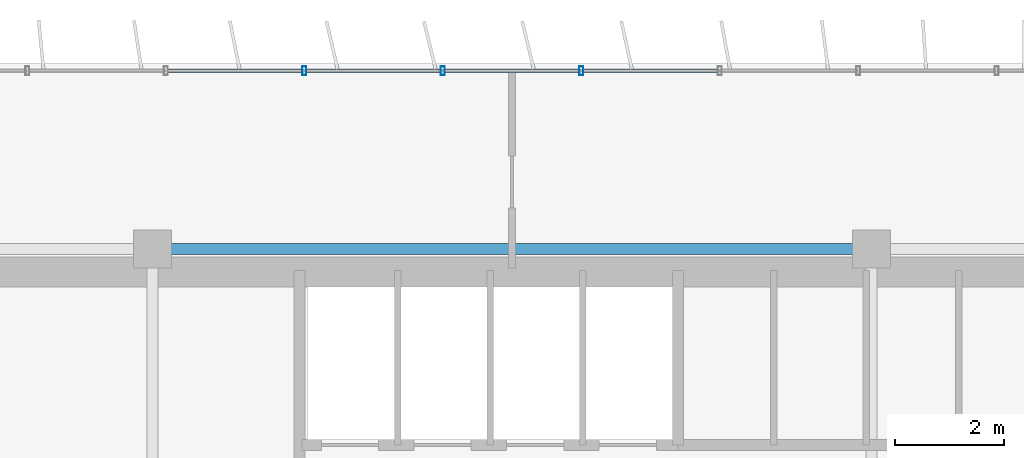
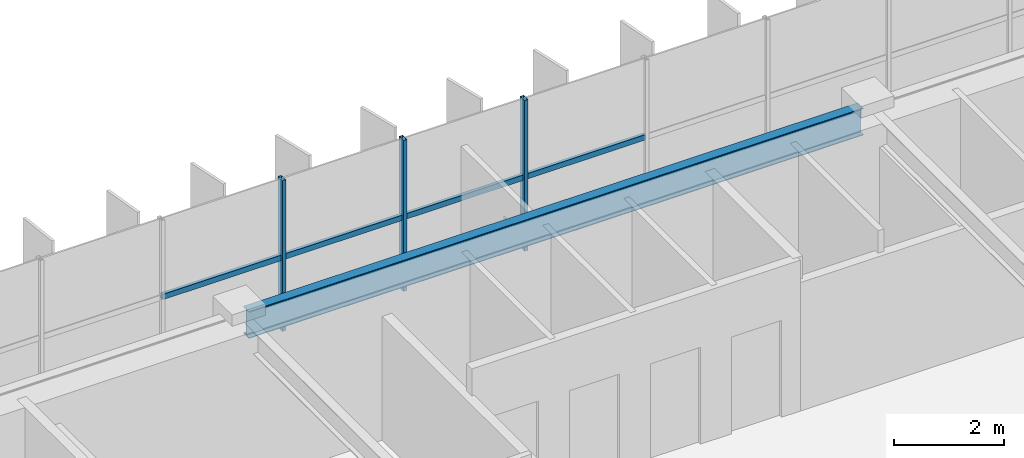
# One storey, part 7 of 21: 7 members, 1 beam, 1 element without a shape of its own.
"""IFC4 building model written with IfcOpenShell, lengths in metres."""

from ifc_helpers import new_model, si_unit, direction, frame, origin, origin_2d, place, context, subcontext, project, spatial, hollow_rectangle, i_section, extrude, source, transform, mapped, material, material_profile, profile_set, type_object, element, aggregate, save


model = new_model("IFC4")

# Units and contexts
model_context = context("Model", 3, precision=1e-05, world=origin(), true_north=direction((0.0, 1.0)))
body_context = subcontext(model_context, "Body", "Model", "MODEL_VIEW")
ifc_project = project(units=[si_unit("LENGTHUNIT", "METRE"), si_unit("AREAUNIT", "SQUARE_METRE"), si_unit("VOLUMEUNIT", "CUBIC_METRE"), si_unit("PLANEANGLEUNIT", "RADIAN"), si_unit("MASSUNIT", "GRAM", prefix="KILO")], contexts=[model_context])

# Site, building, storey
site_placement = place(None, origin())
site = spatial("IfcSite", under=ifc_project, at=site_placement, CompositionType="ELEMENT")
building_placement = place(site_placement, origin())
building = spatial("IfcBuilding", under=site, at=building_placement, Name="Trelvane Seafront Commons", CompositionType="ELEMENT")
storey_placement = place(building_placement, frame((0.0, 0.0, 157.300048828125)))
storey = spatial("IfcBuildingStorey", under=building, at=storey_placement, Name="L41", CompositionType="ELEMENT", Elevation=157.300048828125)

# Beam
ifc_material_1 = material(Name="Steel SM355 (S355)", Category="steel")
ifc_material_profile_1 = material_profile(ifc_material_1, i_section(OverallWidth=0.199951171875, OverallDepth=0.60009765625, WebThickness=0.010986328125, FlangeThickness=0.01708984375, at=origin_2d()), Name="H-600x200x11x17")
ifc_profile_set_1 = profile_set([ifc_material_profile_1], Name="Steel SM355 (S355)")
beam_type = type_object("IfcBeamType", Name="STR-SPD-H600", PredefinedType="SPANDREL", material=ifc_profile_set_1)
shared_shape_1 = source(origin(), body_context, "Body", "SweptSolid", [
    extrude(i_section(OverallWidth=0.199951171875, OverallDepth=0.60009765625, WebThickness=0.010986328125, FlangeThickness=0.01708984375, at=origin_2d()), origin(), (0.0, 0.0, 1.0), 12.89990234375),
])
beam_placement = place(storey_placement, frame((30.75, 45.10009765625, 3.050048828125), z_axis=(1.0, 0.0, 0.0), x_axis=(0.0, 1.0, 0.0)))
element("IfcBeam", 1, at=beam_placement, inside=storey, type_object=beam_type, Name="L41 Primary Girder G-25", PredefinedType="SPANDREL", context=body_context, shape_type="MappedRepresentation", body=[
    mapped(shared_shape_1, transform((0.0, 0.0, 0.0), x_axis=(1.0, 0.0, 0.0), y_axis=(0.0, 1.0, 0.0), z_axis=(0.0, 0.0, 1.0), scale=1.0)),
])

# Curtain wall, members
ifc_material_2 = material(Name="Anodised pale-silver aluminium", Category="aluminium")
curtain_wall_type = type_object("IfcCurtainWallType", Name="ARCH-CW5-UPTOWER", PredefinedType="NOTDEFINED", material=ifc_material_2)
curtain_wall_placement = place(storey_placement, origin())
curtain_wall = element("IfcCurtainWall", 2, at=curtain_wall_placement, inside=storey, type_object=curtain_wall_type, Name="CW-L41-0068", PredefinedType="NOTDEFINED")
ifc_material_profile_2 = material_profile(ifc_material_2, hollow_rectangle(XDim=0.070068359375, YDim=0.1201171875, WallThickness=0.00390625, at=origin_2d()), Name="TRAN-70x120x4")
ifc_profile_set_2 = profile_set([ifc_material_profile_2], Name="Anodised pale-silver aluminium")
member_type_1 = type_object("IfcMemberType", Name="ARCH-CW-TRAN-120", PredefinedType="USERDEFINED", material=ifc_profile_set_2)
shared_shape_2 = source(origin(), body_context, "Body", "SweptSolid", [
    extrude(hollow_rectangle(XDim=0.070068359375, YDim=0.1201171875, WallThickness=0.00390625, at=origin_2d()), origin(), (0.0, 0.0, 1.0), 2.51708984375),
])
member_1_placement = place(storey_placement, frame((30.859130859375, 48.3701171875, 1.60791015625), z_axis=(1.0, 0.0, 0.0), x_axis=(0.0, 1.0, 0.0)))
member_1 = element("IfcMember", 3, at=member_1_placement, type_object=member_type_1, Name="CW-L41-0068-T06", ObjectType="TRANSOM", PredefinedType="USERDEFINED", context=body_context, shape_type="MappedRepresentation", body=[
    mapped(shared_shape_2, transform((0.0, 0.0, 0.0), x_axis=(1.0, 0.0, 0.0), y_axis=(0.0, 1.0, 0.0), z_axis=(0.0, 0.0, 1.0), scale=1.0)),
])
member_2_placement = place(storey_placement, frame((35.94140625, 48.3701171875, 1.60791015625), z_axis=(1.0, 0.0, 0.0), x_axis=(0.0, 1.0, 0.0)))
member_2 = element("IfcMember", 4, at=member_2_placement, type_object=member_type_1, Name="CW-L41-0068-T08", ObjectType="TRANSOM", PredefinedType="USERDEFINED", context=body_context, shape_type="MappedRepresentation", body=[
    mapped(shared_shape_2, transform((0.0, 0.0, 0.0), x_axis=(1.0, 0.0, 0.0), y_axis=(0.0, 1.0, 0.0), z_axis=(0.0, 0.0, 1.0), scale=1.0)),
])
member_3_placement = place(storey_placement, frame((38.482666015625, 48.3701171875, 1.60791015625), z_axis=(1.0, 0.0, 0.0), x_axis=(0.0, 1.0, 0.0)))
member_3 = element("IfcMember", 5, at=member_3_placement, type_object=member_type_1, Name="CW-L41-0068-T09", ObjectType="TRANSOM", PredefinedType="USERDEFINED", context=body_context, shape_type="MappedRepresentation", body=[
    mapped(shared_shape_2, transform((0.0, 0.0, 0.0), x_axis=(1.0, 0.0, 0.0), y_axis=(0.0, 1.0, 0.0), z_axis=(0.0, 0.0, 1.0), scale=1.0)),
])
shared_shape_3 = source(origin(), body_context, "Body", "SweptSolid", [
    extrude(hollow_rectangle(XDim=0.070068359375, YDim=0.1201171875, WallThickness=0.00390625, at=origin_2d()), origin(), (0.0, 0.0, 1.0), 2.517333984375),
])
member_4_placement = place(storey_placement, frame((33.400146484375, 48.3701171875, 1.60791015625), z_axis=(1.0, 0.0, 0.0), x_axis=(0.0, 1.0, 0.0)))
member_4 = element("IfcMember", 6, at=member_4_placement, type_object=member_type_1, Name="CW-L41-0068-T07", ObjectType="TRANSOM", PredefinedType="USERDEFINED", context=body_context, shape_type="MappedRepresentation", body=[
    mapped(shared_shape_3, transform((0.0, 0.0, 0.0), x_axis=(1.0, 0.0, 0.0), y_axis=(0.0, 1.0, 0.0), z_axis=(0.0, 0.0, 1.0), scale=1.0)),
])
ifc_material_profile_3 = material_profile(ifc_material_2, hollow_rectangle(XDim=0.074951171875, YDim=0.159912109375, WallThickness=0.00390625, at=origin_2d()), Name="MULL-75x160x4")
ifc_profile_set_3 = profile_set([ifc_material_profile_3], Name="Anodised pale-silver aluminium")
member_type_2 = type_object("IfcMemberType", Name="ARCH-CW-MULL-160", PredefinedType="MULLION", material=ifc_profile_set_3)
shared_shape_4 = source(origin(), body_context, "Body", "SweptSolid", [
    extrude(hollow_rectangle(XDim=0.074951171875, YDim=0.159912109375, WallThickness=0.00390625, at=origin_2d()), origin(), (0.0, 0.0, 1.0), 3.349853515625),
])
member_5_placement = place(storey_placement, frame((33.38818359375, 48.3701171875, 0.0), z_axis=(0.0, 0.0, 1.0), x_axis=(1.0, 0.0, 0.0)))
member_5 = element("IfcMember", 7, at=member_5_placement, type_object=member_type_2, Name="CW-L41-0068-M07", PredefinedType="MULLION", context=body_context, shape_type="MappedRepresentation", body=[
    mapped(shared_shape_4, transform((0.0, 0.0, 0.0), x_axis=(1.0, 0.0, 0.0), y_axis=(0.0, 1.0, 0.0), z_axis=(0.0, 0.0, 1.0), scale=1.0)),
])
member_6_placement = place(storey_placement, frame((35.929443359375, 48.3701171875, 0.0), z_axis=(0.0, 0.0, 1.0), x_axis=(1.0, 0.0, 0.0)))
member_6 = element("IfcMember", 8, at=member_6_placement, type_object=member_type_2, Name="CW-L41-0068-M08", PredefinedType="MULLION", context=body_context, shape_type="MappedRepresentation", body=[
    mapped(shared_shape_4, transform((0.0, 0.0, 0.0), x_axis=(1.0, 0.0, 0.0), y_axis=(0.0, 1.0, 0.0), z_axis=(0.0, 0.0, 1.0), scale=1.0)),
])
member_7_placement = place(storey_placement, frame((38.470703125, 48.3701171875, 0.0), z_axis=(0.0, 0.0, 1.0), x_axis=(1.0, 0.0, 0.0)))
member_7 = element("IfcMember", 9, at=member_7_placement, type_object=member_type_2, Name="CW-L41-0068-M09", PredefinedType="MULLION", context=body_context, shape_type="MappedRepresentation", body=[
    mapped(shared_shape_4, transform((0.0, 0.0, 0.0), x_axis=(1.0, 0.0, 0.0), y_axis=(0.0, 1.0, 0.0), z_axis=(0.0, 0.0, 1.0), scale=1.0)),
])
aggregate(curtain_wall, [member_5, member_6, member_7, member_1, member_4, member_2, member_3])

save(model, "model.ifc")
